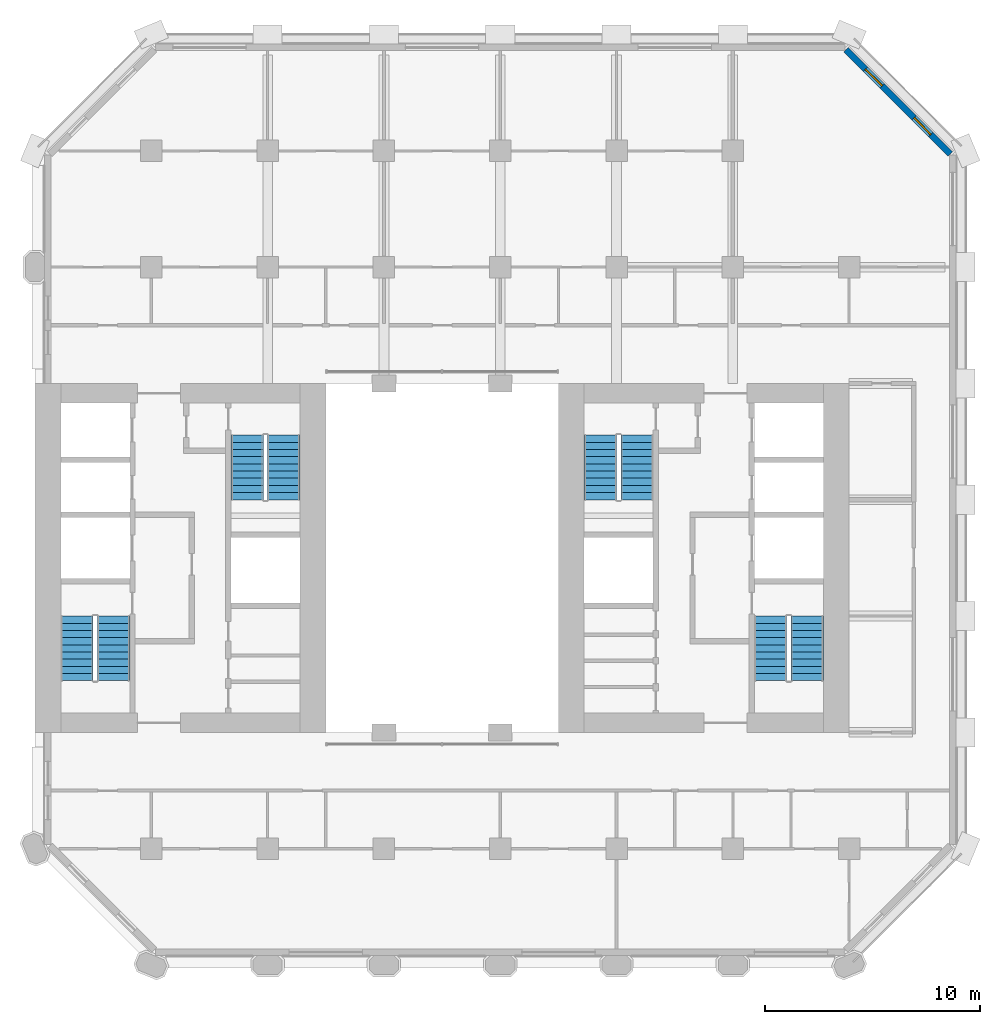
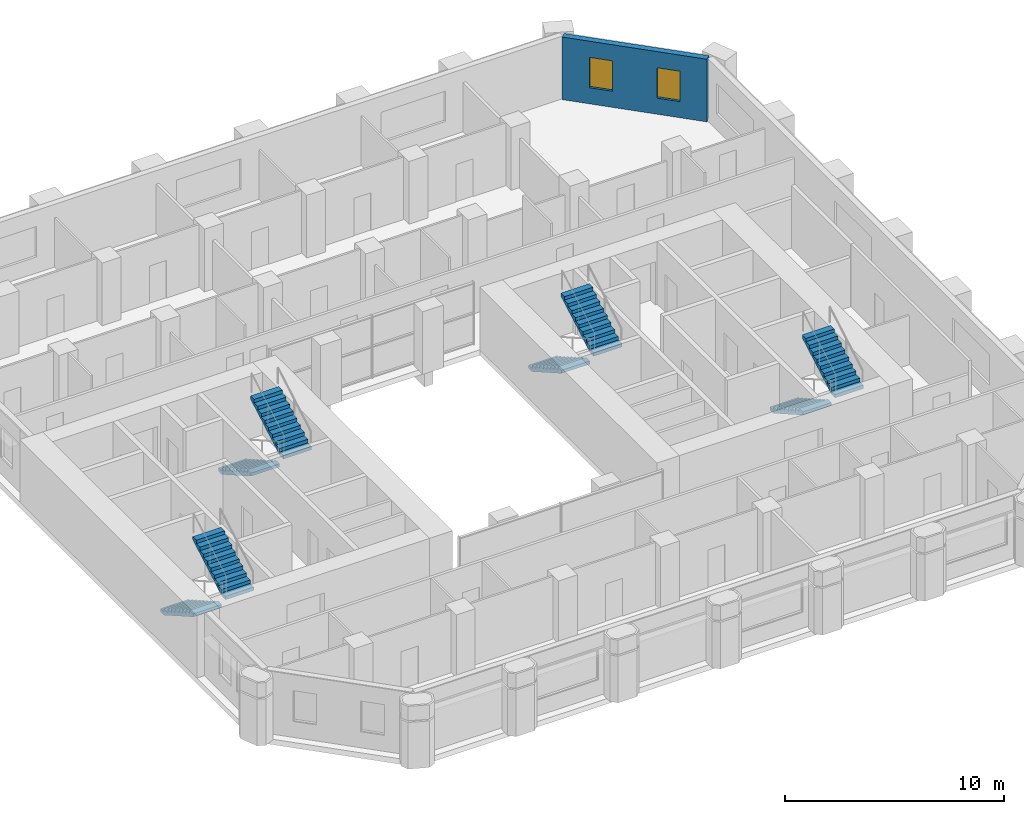
# One storey, part 8 of 11: 8 stair flights, 2 windows, 1 wall, 2 openings, 4 elements without a shape of their own.
"""IFC4 building model written with IfcOpenShell, lengths in metres."""

from ifc_helpers import new_model, si_unit, direction, frame, frame_2d, origin, place, context, subcontext, project, spatial, polyline, rectangle, outline, extrude, material, layer, layer_set, type_object, element, fill, aggregate, save


model = new_model("IFC4")

# Units and contexts
model_context = context("Model", 3, precision=1e-05, world=origin(), true_north=direction((0.0, 1.0)))
body_context = subcontext(model_context, "Body", "Model", "MODEL_VIEW")
ifc_project = project(units=[si_unit("LENGTHUNIT", "METRE"), si_unit("AREAUNIT", "SQUARE_METRE"), si_unit("VOLUMEUNIT", "CUBIC_METRE"), si_unit("PLANEANGLEUNIT", "RADIAN"), si_unit("MASSUNIT", "GRAM", prefix="KILO")], contexts=[model_context])

# Site, building, storey
site_placement = place(None, origin())
site = spatial("IfcSite", under=ifc_project, at=site_placement, CompositionType="ELEMENT")
building_placement = place(site_placement, origin())
building = spatial("IfcBuilding", under=site, at=building_placement, Name="Tabaq Tower and Sports Hall", CompositionType="ELEMENT")
storey_placement = place(building_placement, frame((0.0, 0.0, 76.39990234375)))
storey = spatial("IfcBuildingStorey", under=building, at=storey_placement, Name="L17", CompositionType="ELEMENT", Elevation=76.39990234375)

# Wall, openings, windows
ifc_material_1 = material(Name="White precast concrete C60/75", Category="concrete")
ifc_layer = layer(ifc_material_1, 0.300048828125)
ifc_layer_set = layer_set([ifc_layer], Name="White precast concrete C60/75 external wall 300")
wall_type = type_object("IfcWallType", Name="White precast concrete C60/75 external wall 300", PredefinedType="SOLIDWALL", material=ifc_layer_set)
wall_placement = place(storey_placement, frame((47.901123046875, 43.050537109375, 0.0), z_axis=(0.0, 0.0, 1.0), x_axis=(-0.707106781187, 0.707106781187, 0.0)))
wall = element("IfcWall", 1, at=wall_placement, inside=storey, type_object=wall_type, Name="External Wall L17 NE", PredefinedType="SOLIDWALL", context=body_context, shape_type="SweptSolid", body=[
    extrude(rectangle(XDim=6.85986328125, YDim=0.300048828125, at=frame_2d((3.429931640625, 0.0))), origin(), (0.0, 0.0, 1.0), 3.5),
])
opening_1_placement = place(wall_placement, frame((1.27978515625, 0.0, 0.89990234375)))
opening_1 = element("IfcOpeningElement", 2, at=opening_1_placement, cuts=wall, Name="Opening W1B", PredefinedType="OPENING", context=body_context, shape_type="SweptSolid", body=[
    extrude(rectangle(XDim=1.10009765625, YDim=1.699951171875, at=frame_2d((0.550048828125, 0.85009765625))), frame((0.0, 0.16015625, 0.0), z_axis=(0.0, -1.0, 0.0), x_axis=(1.0, 0.0, 0.0)), (0.0, 0.0, 1.0), 0.320068359375),
])
opening_2_placement = place(wall_placement, frame((4.479736328125, 0.0, 0.89990234375)))
opening_2 = element("IfcOpeningElement", 3, at=opening_2_placement, cuts=wall, Name="Opening W1B", PredefinedType="OPENING", context=body_context, shape_type="SweptSolid", body=[
    extrude(rectangle(XDim=1.10009765625, YDim=1.699951171875, at=frame_2d((0.550048828125, 0.85009765625))), frame((0.0, 0.16015625, 0.0), z_axis=(0.0, -1.0, 0.0), x_axis=(1.0, 0.0, 0.0)), (0.0, 0.0, 1.0), 0.320068359375),
])
ifc_material_2 = material(Name="Aluminium framed clear glazing", Category="aluminium")
window_type = type_object("IfcWindowType", Name="Window W1B", PartitioningType="SINGLE_PANEL", PredefinedType="WINDOW", material=ifc_material_2)
window_1_placement = place(opening_1_placement, origin())
window_1 = element("IfcWindow", 4, at=window_1_placement, inside=storey, type_object=window_type, Name="Window W1B L17", OverallHeight=1.699951171875, OverallWidth=1.10009765625, PartitioningType="SINGLE_PANEL", PredefinedType="WINDOW", context=body_context, shape_type="SweptSolid", body=[
    extrude(rectangle(XDim=1.10009765625, YDim=1.699951171875, at=frame_2d((0.550048828125, 0.85009765625))), frame((0.0, 0.030029296875, 0.0), z_axis=(0.0, -1.0, 0.0), x_axis=(1.0, 0.0, 0.0)), (0.0, 0.0, 1.0), 0.06005859375),
])
fill(opening_1, window_1)
window_2_placement = place(opening_2_placement, origin())
window_2 = element("IfcWindow", 5, at=window_2_placement, inside=storey, type_object=window_type, Name="Window W1B L17", OverallHeight=1.699951171875, OverallWidth=1.10009765625, PartitioningType="SINGLE_PANEL", PredefinedType="WINDOW", context=body_context, shape_type="SweptSolid", body=[
    extrude(rectangle(XDim=1.10009765625, YDim=1.699951171875, at=frame_2d((0.550048828125, 0.85009765625))), frame((0.0, 0.030029296875, 0.0), z_axis=(0.0, -1.0, 0.0), x_axis=(1.0, 0.0, 0.0)), (0.0, 0.0, 1.0), 0.06005859375),
])
fill(opening_2, window_2)

# Stair, stair flights
ifc_material_3 = material(Name="Concrete C40/50", Category="concrete")
stair_type = type_object("IfcStairType", Name="Exit stair", PredefinedType="HALF_TURN_STAIR", material=ifc_material_3)
stair_1_placement = place(storey_placement, origin())
stair_1 = element("IfcStair", 6, at=stair_1_placement, inside=storey, type_object=stair_type, Name="L17 Exit stair ST1", PredefinedType="HALF_TURN_STAIR")
ifc_material_4 = material(Name="Concrete C40/50", Category="concrete")
stair_flight_type = type_object("IfcStairFlightType", Name="Exit stair flight", PredefinedType="STRAIGHT", material=ifc_material_4)
stair_flight_1_placement = place(storey_placement, frame((7.35009765625, 21.60009765625, 0.0), z_axis=(0.0, 0.0, 1.0), x_axis=(0.0, -1.0, 0.0)))
stair_flight_1 = element("IfcStairFlight", 7, at=stair_flight_1_placement, type_object=stair_flight_type, Name="ST1 flight 1", NumberOfRisers=10, NumberOfTreads=9, PredefinedType="STRAIGHT", RiserHeight=0.19, TreadLength=0.333333333, context=body_context, shape_type="SweptSolid", body=[
    extrude(outline(polyline([(0.0, 0.0), (0.0, 0.18994140625), (0.333251953125, 0.18994140625), (0.333251953125, 0.3798828125), (0.666748046875, 0.3798828125), (0.666748046875, 0.570068359375), (1.0, 0.570068359375), (1.0, 0.760009765625), (1.333251953125, 0.760009765625), (1.333251953125, 0.949951171875), (1.666748046875, 0.949951171875), (1.666748046875, 1.139892578125), (2.0, 1.139892578125), (2.0, 1.330078125), (2.333251953125, 1.330078125), (2.333251953125, 1.52001953125), (2.666748046875, 1.52001953125), (2.666748046875, 1.7099609375), (3.0, 1.7099609375), (3.0, 1.89990234375), (3.0, 1.537353515625), (0.302734375, 0.0), (0.0, 0.0)])), frame((0.0, 0.75, 0.0), z_axis=(0.0, -1.0, 0.0), x_axis=(1.0, 0.0, 0.0)), (0.0, 0.0, 1.0), 1.5),
])
stair_flight_2_placement = place(storey_placement, frame((9.050048828125, 18.60009765625, 1.900146484375), z_axis=(0.0, 0.0, 1.0), x_axis=(0.0, 1.0, 0.0)))
stair_flight_2 = element("IfcStairFlight", 8, at=stair_flight_2_placement, type_object=stair_flight_type, Name="ST1 flight 2", NumberOfRisers=10, NumberOfTreads=9, PredefinedType="STRAIGHT", RiserHeight=0.19, TreadLength=0.333333333, context=body_context, shape_type="SweptSolid", body=[
    extrude(outline(polyline([(0.0, 0.0), (0.0, 0.18994140625), (0.333251953125, 0.18994140625), (0.333251953125, 0.3798828125), (0.666748046875, 0.3798828125), (0.666748046875, 0.570068359375), (1.0, 0.570068359375), (1.0, 0.760009765625), (1.333251953125, 0.760009765625), (1.333251953125, 0.949951171875), (1.666748046875, 0.949951171875), (1.666748046875, 1.139892578125), (2.0, 1.139892578125), (2.0, 1.330078125), (2.333251953125, 1.330078125), (2.333251953125, 1.52001953125), (2.666748046875, 1.52001953125), (2.666748046875, 1.7099609375), (3.0, 1.7099609375), (3.0, 1.89990234375), (3.0, 1.537353515625), (0.302734375, 0.0), (0.0, 0.0)])), frame((0.0, 0.75, 0.0), z_axis=(0.0, -1.0, 0.0), x_axis=(1.0, 0.0, 0.0)), (0.0, 0.0, 1.0), 1.5),
])
aggregate(stair_1, [stair_flight_1, stair_flight_2])

stair_2_placement = place(storey_placement, origin())
stair_2 = element("IfcStair", 9, at=stair_2_placement, inside=storey, type_object=stair_type, Name="L17 Exit stair ST2", PredefinedType="HALF_TURN_STAIR")
stair_flight_3_placement = place(storey_placement, frame((15.25, 30.0, 0.0), z_axis=(0.0, 0.0, 1.0), x_axis=(0.0, -1.0, 0.0)))
stair_flight_3 = element("IfcStairFlight", 10, at=stair_flight_3_placement, type_object=stair_flight_type, Name="ST2 flight 1", NumberOfRisers=10, NumberOfTreads=9, PredefinedType="STRAIGHT", RiserHeight=0.19, TreadLength=0.333333333, context=body_context, shape_type="SweptSolid", body=[
    extrude(outline(polyline([(0.0, 0.0), (0.0, 0.18994140625), (0.333251953125, 0.18994140625), (0.333251953125, 0.3798828125), (0.666748046875, 0.3798828125), (0.666748046875, 0.570068359375), (1.0, 0.570068359375), (1.0, 0.760009765625), (1.333251953125, 0.760009765625), (1.333251953125, 0.949951171875), (1.666748046875, 0.949951171875), (1.666748046875, 1.139892578125), (2.0, 1.139892578125), (2.0, 1.330078125), (2.333251953125, 1.330078125), (2.333251953125, 1.52001953125), (2.666748046875, 1.52001953125), (2.666748046875, 1.7099609375), (3.0, 1.7099609375), (3.0, 1.89990234375), (3.0, 1.537353515625), (0.302734375, 0.0), (0.0, 0.0)])), frame((0.0, 0.75, 0.0), z_axis=(0.0, -1.0, 0.0), x_axis=(1.0, 0.0, 0.0)), (0.0, 0.0, 1.0), 1.5),
])
stair_flight_4_placement = place(storey_placement, frame((16.949951171875, 27.0, 1.900146484375), z_axis=(0.0, 0.0, 1.0), x_axis=(0.0, 1.0, 0.0)))
stair_flight_4 = element("IfcStairFlight", 11, at=stair_flight_4_placement, type_object=stair_flight_type, Name="ST2 flight 2", NumberOfRisers=10, NumberOfTreads=9, PredefinedType="STRAIGHT", RiserHeight=0.19, TreadLength=0.333333333, context=body_context, shape_type="SweptSolid", body=[
    extrude(outline(polyline([(0.0, 0.0), (0.0, 0.18994140625), (0.333251953125, 0.18994140625), (0.333251953125, 0.3798828125), (0.666748046875, 0.3798828125), (0.666748046875, 0.570068359375), (1.0, 0.570068359375), (1.0, 0.760009765625), (1.333251953125, 0.760009765625), (1.333251953125, 0.949951171875), (1.666748046875, 0.949951171875), (1.666748046875, 1.139892578125), (2.0, 1.139892578125), (2.0, 1.330078125), (2.333251953125, 1.330078125), (2.333251953125, 1.52001953125), (2.666748046875, 1.52001953125), (2.666748046875, 1.7099609375), (3.0, 1.7099609375), (3.0, 1.89990234375), (3.0, 1.537353515625), (0.302734375, 0.0), (0.0, 0.0)])), frame((0.0, 0.75, 0.0), z_axis=(0.0, -1.0, 0.0), x_axis=(1.0, 0.0, 0.0)), (0.0, 0.0, 1.0), 1.5),
])
aggregate(stair_2, [stair_flight_3, stair_flight_4])

stair_3_placement = place(storey_placement, origin())
stair_3 = element("IfcStair", 12, at=stair_3_placement, inside=storey, type_object=stair_type, Name="L17 Exit stair ST3", PredefinedType="HALF_TURN_STAIR")
stair_flight_5_placement = place(storey_placement, frame((39.550048828125, 21.60009765625, 0.0), z_axis=(0.0, 0.0, 1.0), x_axis=(0.0, -1.0, 0.0)))
stair_flight_5 = element("IfcStairFlight", 13, at=stair_flight_5_placement, type_object=stair_flight_type, Name="ST3 flight 1", NumberOfRisers=10, NumberOfTreads=9, PredefinedType="STRAIGHT", RiserHeight=0.19, TreadLength=0.333333333, context=body_context, shape_type="SweptSolid", body=[
    extrude(outline(polyline([(0.0, 0.0), (0.0, 0.18994140625), (0.333251953125, 0.18994140625), (0.333251953125, 0.3798828125), (0.666748046875, 0.3798828125), (0.666748046875, 0.570068359375), (1.0, 0.570068359375), (1.0, 0.760009765625), (1.333251953125, 0.760009765625), (1.333251953125, 0.949951171875), (1.666748046875, 0.949951171875), (1.666748046875, 1.139892578125), (2.0, 1.139892578125), (2.0, 1.330078125), (2.333251953125, 1.330078125), (2.333251953125, 1.52001953125), (2.666748046875, 1.52001953125), (2.666748046875, 1.7099609375), (3.0, 1.7099609375), (3.0, 1.89990234375), (3.0, 1.537353515625), (0.302734375, 0.0), (0.0, 0.0)])), frame((0.0, 0.75, 0.0), z_axis=(0.0, -1.0, 0.0), x_axis=(1.0, 0.0, 0.0)), (0.0, 0.0, 1.0), 1.5),
])
stair_flight_6_placement = place(storey_placement, frame((41.25, 18.60009765625, 1.900146484375), z_axis=(0.0, 0.0, 1.0), x_axis=(0.0, 1.0, 0.0)))
stair_flight_6 = element("IfcStairFlight", 14, at=stair_flight_6_placement, type_object=stair_flight_type, Name="ST3 flight 2", NumberOfRisers=10, NumberOfTreads=9, PredefinedType="STRAIGHT", RiserHeight=0.19, TreadLength=0.333333333, context=body_context, shape_type="SweptSolid", body=[
    extrude(outline(polyline([(0.0, 0.0), (0.0, 0.18994140625), (0.333251953125, 0.18994140625), (0.333251953125, 0.3798828125), (0.666748046875, 0.3798828125), (0.666748046875, 0.570068359375), (1.0, 0.570068359375), (1.0, 0.760009765625), (1.333251953125, 0.760009765625), (1.333251953125, 0.949951171875), (1.666748046875, 0.949951171875), (1.666748046875, 1.139892578125), (2.0, 1.139892578125), (2.0, 1.330078125), (2.333251953125, 1.330078125), (2.333251953125, 1.52001953125), (2.666748046875, 1.52001953125), (2.666748046875, 1.7099609375), (3.0, 1.7099609375), (3.0, 1.89990234375), (3.0, 1.537353515625), (0.302734375, 0.0), (0.0, 0.0)])), frame((0.0, 0.75, 0.0), z_axis=(0.0, -1.0, 0.0), x_axis=(1.0, 0.0, 0.0)), (0.0, 0.0, 1.0), 1.5),
])
aggregate(stair_3, [stair_flight_5, stair_flight_6])

stair_4_placement = place(storey_placement, origin())
stair_4 = element("IfcStair", 15, at=stair_4_placement, inside=storey, type_object=stair_type, Name="L17 Exit stair ST4", PredefinedType="HALF_TURN_STAIR")
stair_flight_7_placement = place(storey_placement, frame((31.64990234375, 30.0, 0.0), z_axis=(0.0, 0.0, 1.0), x_axis=(0.0, -1.0, 0.0)))
stair_flight_7 = element("IfcStairFlight", 16, at=stair_flight_7_placement, type_object=stair_flight_type, Name="ST4 flight 1", NumberOfRisers=10, NumberOfTreads=9, PredefinedType="STRAIGHT", RiserHeight=0.19, TreadLength=0.333333333, context=body_context, shape_type="SweptSolid", body=[
    extrude(outline(polyline([(0.0, 0.0), (0.0, 0.18994140625), (0.333251953125, 0.18994140625), (0.333251953125, 0.3798828125), (0.666748046875, 0.3798828125), (0.666748046875, 0.570068359375), (1.0, 0.570068359375), (1.0, 0.760009765625), (1.333251953125, 0.760009765625), (1.333251953125, 0.949951171875), (1.666748046875, 0.949951171875), (1.666748046875, 1.139892578125), (2.0, 1.139892578125), (2.0, 1.330078125), (2.333251953125, 1.330078125), (2.333251953125, 1.52001953125), (2.666748046875, 1.52001953125), (2.666748046875, 1.7099609375), (3.0, 1.7099609375), (3.0, 1.89990234375), (3.0, 1.537353515625), (0.302734375, 0.0), (0.0, 0.0)])), frame((0.0, 0.75, 0.0), z_axis=(0.0, -1.0, 0.0), x_axis=(1.0, 0.0, 0.0)), (0.0, 0.0, 1.0), 1.5),
])
stair_flight_8_placement = place(storey_placement, frame((33.35009765625, 27.0, 1.900146484375), z_axis=(0.0, 0.0, 1.0), x_axis=(0.0, 1.0, 0.0)))
stair_flight_8 = element("IfcStairFlight", 17, at=stair_flight_8_placement, type_object=stair_flight_type, Name="ST4 flight 2", NumberOfRisers=10, NumberOfTreads=9, PredefinedType="STRAIGHT", RiserHeight=0.19, TreadLength=0.333333333, context=body_context, shape_type="SweptSolid", body=[
    extrude(outline(polyline([(0.0, 0.0), (0.0, 0.18994140625), (0.333251953125, 0.18994140625), (0.333251953125, 0.3798828125), (0.666748046875, 0.3798828125), (0.666748046875, 0.570068359375), (1.0, 0.570068359375), (1.0, 0.760009765625), (1.333251953125, 0.760009765625), (1.333251953125, 0.949951171875), (1.666748046875, 0.949951171875), (1.666748046875, 1.139892578125), (2.0, 1.139892578125), (2.0, 1.330078125), (2.333251953125, 1.330078125), (2.333251953125, 1.52001953125), (2.666748046875, 1.52001953125), (2.666748046875, 1.7099609375), (3.0, 1.7099609375), (3.0, 1.89990234375), (3.0, 1.537353515625), (0.302734375, 0.0), (0.0, 0.0)])), frame((0.0, 0.75, 0.0), z_axis=(0.0, -1.0, 0.0), x_axis=(1.0, 0.0, 0.0)), (0.0, 0.0, 1.0), 1.5),
])
aggregate(stair_4, [stair_flight_7, stair_flight_8])

save(model, "model.ifc")
